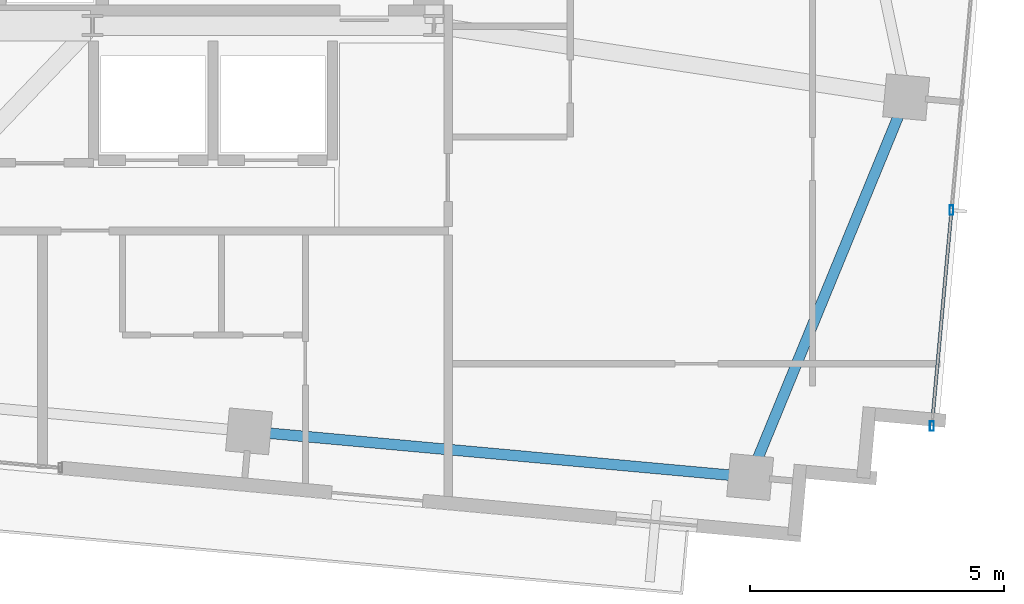
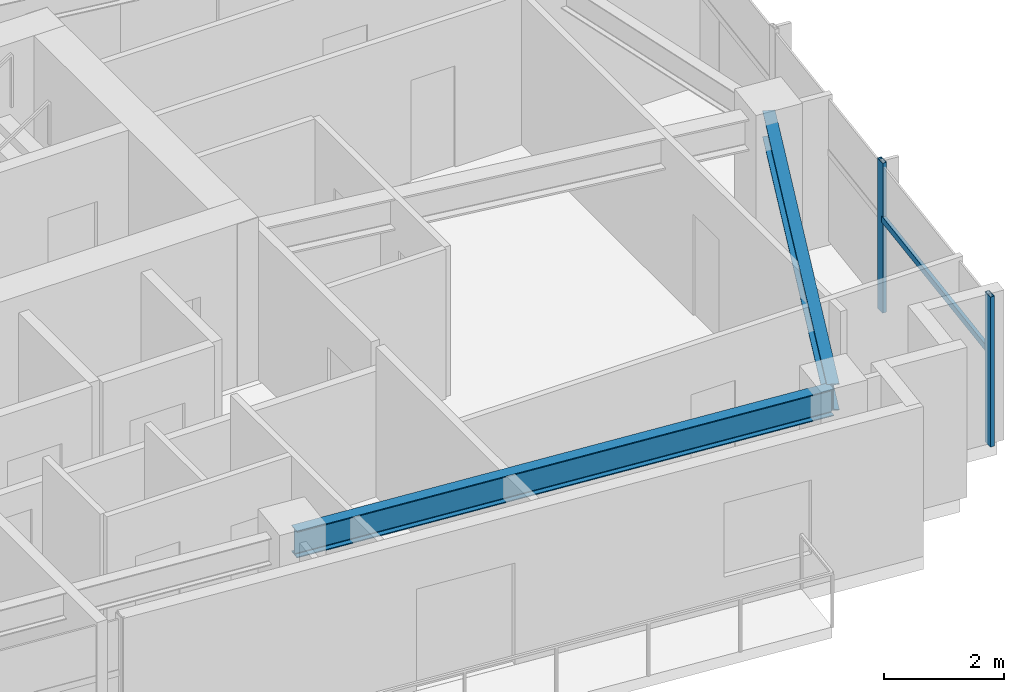
# One storey, part 12 of 22: 3 members, 2 beams, 1 element without a shape of its own.
"""IFC4 building model written with IfcOpenShell, lengths in metres."""

from ifc_helpers import new_model, si_unit, direction, frame, origin, origin_2d, place, context, subcontext, project, spatial, hollow_rectangle, i_section, extrude, source, transform, mapped, material, material_profile, profile_set, type_object, type_shapes, element, aggregate, save


model = new_model("IFC4")

# Units and contexts
model_context = context("Model", 3, precision=1e-05, world=origin(), true_north=direction((0.0, 1.0)))
body_context = subcontext(model_context, "Body", "Model", "MODEL_VIEW")
ifc_project = project(units=[si_unit("LENGTHUNIT", "METRE"), si_unit("AREAUNIT", "SQUARE_METRE"), si_unit("VOLUMEUNIT", "CUBIC_METRE"), si_unit("PLANEANGLEUNIT", "RADIAN"), si_unit("MASSUNIT", "GRAM", prefix="KILO")], contexts=[model_context])

# Site, building, storey
site_placement = place(None, origin())
site = spatial("IfcSite", under=ifc_project, at=site_placement, CompositionType="ELEMENT")
building_placement = place(site_placement, origin())
building = spatial("IfcBuilding", under=site, at=building_placement, Name="Astriad Promenade Condominiums", CompositionType="ELEMENT")
storey_placement = place(building_placement, frame((0.0, 0.0, 229.800048828125)))
storey = spatial("IfcBuildingStorey", under=building, at=storey_placement, Name="L66", CompositionType="ELEMENT", Elevation=229.800048828125)

# Beams
ifc_material_1 = material(Name="Steel ASTM A992 Grade 50", Category="steel")
ifc_material_profile_1 = material_profile(ifc_material_1, i_section(OverallWidth=0.210693359375, OverallDepth=0.53955078125, WebThickness=0.01171875, FlangeThickness=0.018798828125, FilletRadius=0.0166015625, at=origin_2d()), Name="W21X73")
ifc_profile_set_1 = profile_set([ifc_material_profile_1], Name="Steel ASTM A992 Grade 50")
beam_type = type_object("IfcBeamType", Name="STEEL SPANDREL BEAM W21X73", PredefinedType="SPANDREL", material=ifc_profile_set_1)
shared_shape_1 = source(origin(), body_context, "Body", "SweptSolid", [
    extrude(i_section(OverallWidth=0.210693359375, OverallDepth=0.53955078125, WebThickness=0.01171875, FlangeThickness=0.018798828125, FilletRadius=0.0166015625, at=origin_2d()), origin(), (0.0, 0.0, 1.0), 9.820068359375),
])
beam_1_placement = place(storey_placement, frame((41.99951171875, 9.410888671875, 2.770263671875), z_axis=(0.995883214993, -0.090645585088, 0.0), x_axis=(0.090645585088, 0.995883214993, 0.0)))
element("IfcBeam", 1, at=beam_1_placement, inside=storey, type_object=beam_type, Name="Perimeter Spandrel Beam SP-S4-L66", PredefinedType="SPANDREL", context=body_context, shape_type="MappedRepresentation", body=[
    mapped(shared_shape_1, transform((0.0, 0.0, 0.0), scale=1.0)),
])
shared_shape_2 = source(origin(), body_context, "Body", "SweptSolid", [
    extrude(i_section(OverallWidth=0.210693359375, OverallDepth=0.53955078125, WebThickness=0.01171875, FlangeThickness=0.018798828125, FilletRadius=0.0166015625, at=origin_2d()), origin(), (0.0, 0.0, 1.0), 7.998779296875),
])
type_shapes(beam_type, [shared_shape_1, shared_shape_2])
beam_2_placement = place(storey_placement, frame((51.833984375, 8.55419921875, 2.770263671875), z_axis=(0.38000513148, 0.924984378273, 0.0), x_axis=(-0.924984378273, 0.38000513148, 0.0)))
element("IfcBeam", 2, at=beam_2_placement, inside=storey, type_object=beam_type, Name="Perimeter Spandrel Beam SP-E1-L66", PredefinedType="SPANDREL", context=body_context, shape_type="MappedRepresentation", body=[
    mapped(shared_shape_2, transform((0.0, 0.0, 0.0), scale=1.0)),
])

# Curtain wall, members
ifc_material_2 = material(Name="Anodised aluminium Black Dark Glass Unitised", Category="aluminium")
curtain_wall_type = type_object("IfcCurtainWallType", Name="CW-B5-DARK", PredefinedType="USERDEFINED", material=ifc_material_2)
curtain_wall_placement = place(storey_placement, origin())
curtain_wall = element("IfcCurtainWall", 3, at=curtain_wall_placement, inside=storey, type_object=curtain_wall_type, Name="CW-L66-E", ObjectType="UNITISED_CURTAIN_WALL", PredefinedType="USERDEFINED")
ifc_material_3 = material(Name="Anodised aluminium 6063-T6 Black", Category="aluminium")
ifc_material_profile_2 = material_profile(ifc_material_3, hollow_rectangle(XDim=0.06494140625, YDim=0.1298828125, WallThickness=0.00390625, at=origin_2d()), Name="ALU-TRN-65X130")
ifc_profile_set_2 = profile_set([ifc_material_profile_2], Name="Anodised aluminium 6063-T6 Black")
member_type_1 = type_object("IfcMemberType", Name="TRN-ALU-TRN-65X130", PredefinedType="USERDEFINED", material=ifc_profile_set_2)
shared_shape_3 = source(origin(), body_context, "Body", "SweptSolid", [
    extrude(hollow_rectangle(XDim=0.06494140625, YDim=0.1298828125, WallThickness=0.00390625, at=origin_2d()), origin(), (0.0, 0.0, 1.0), 4.2666015625),
])
type_shapes(member_type_1, [shared_shape_3])
member_1_placement = place(storey_placement, frame((55.78076171875, 13.766357421875, 1.884765625), z_axis=(-0.090638931954, -0.99588382054, 0.0), x_axis=(0.99588382054, -0.090638931954, 0.0)))
member_1 = element("IfcMember", 4, at=member_1_placement, type_object=member_type_1, Name="CW-L66-E-TRN-02-0", ObjectType="TRANSOM", PredefinedType="USERDEFINED", context=body_context, shape_type="MappedRepresentation", body=[
    mapped(shared_shape_3, transform((0.0, 0.0, 0.0), scale=1.0)),
])
ifc_material_profile_3 = material_profile(ifc_material_3, hollow_rectangle(XDim=0.074951171875, YDim=0.18505859375, WallThickness=0.00439453125, at=origin_2d()), Name="ALU-MUL-75X185")
ifc_profile_set_3 = profile_set([ifc_material_profile_3], Name="Anodised aluminium 6063-T6 Black")
member_type_2 = type_object("IfcMemberType", Name="MUL-ALU-MUL-75X185", PredefinedType="MULLION", material=ifc_profile_set_3)
shared_shape_4 = source(origin(), body_context, "Body", "SweptSolid", [
    extrude(hollow_rectangle(XDim=0.074951171875, YDim=0.18505859375, WallThickness=0.00439453125, at=origin_2d()), origin(), (0.0, 0.0, 1.0), 3.0400390625),
])
type_shapes(member_type_2, [shared_shape_4])
member_2_placement = place(storey_placement, frame((55.78076171875, 13.766357421875, 0.0), z_axis=(0.0, 0.0, 1.0), x_axis=(1.0, 0.0, 0.0)))
member_2 = element("IfcMember", 5, at=member_2_placement, type_object=member_type_2, Name="CW-L66-E-MUL-02", PredefinedType="MULLION", context=body_context, shape_type="MappedRepresentation", body=[
    mapped(shared_shape_4, transform((0.0, 0.0, 0.0), scale=1.0)),
])
member_3_placement = place(storey_placement, frame((55.39404296875, 9.517333984375, 0.0), z_axis=(0.0, 0.0, 1.0), x_axis=(1.0, 0.0, 0.0)))
member_3 = element("IfcMember", 6, at=member_3_placement, type_object=member_type_2, Name="CW-L66-E-MUL-03", PredefinedType="MULLION", context=body_context, shape_type="MappedRepresentation", body=[
    mapped(shared_shape_4, transform((0.0, 0.0, 0.0), scale=1.0)),
])
aggregate(curtain_wall, [member_2, member_3, member_1])

save(model, "model.ifc")
